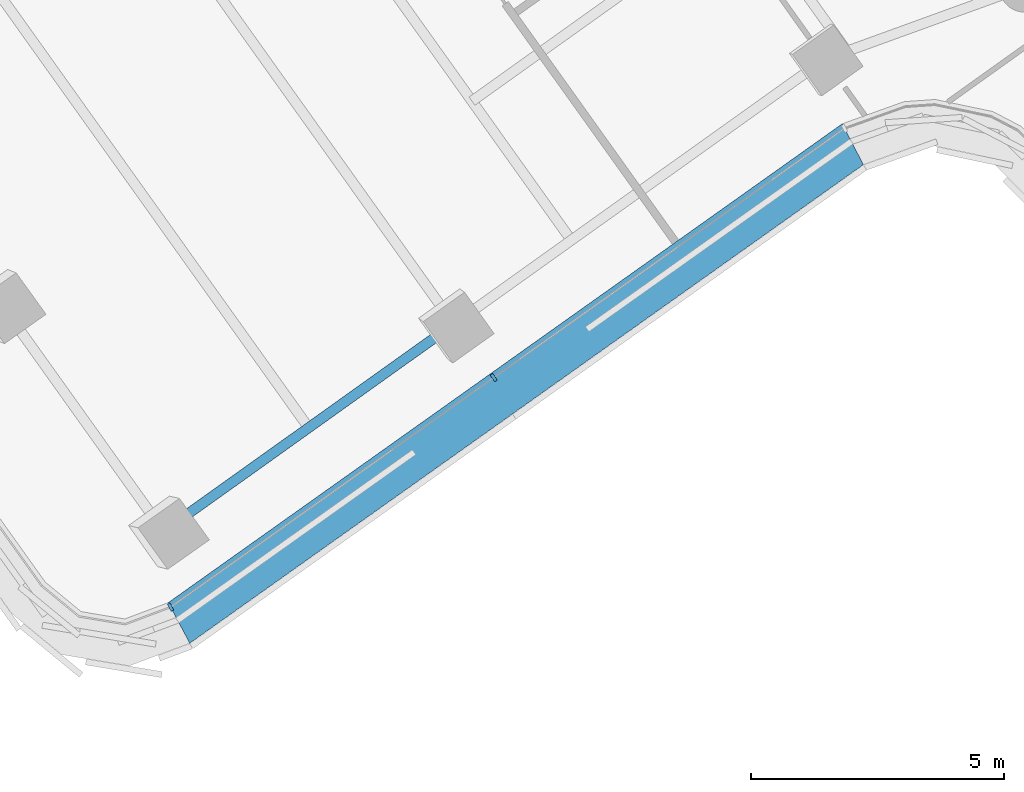
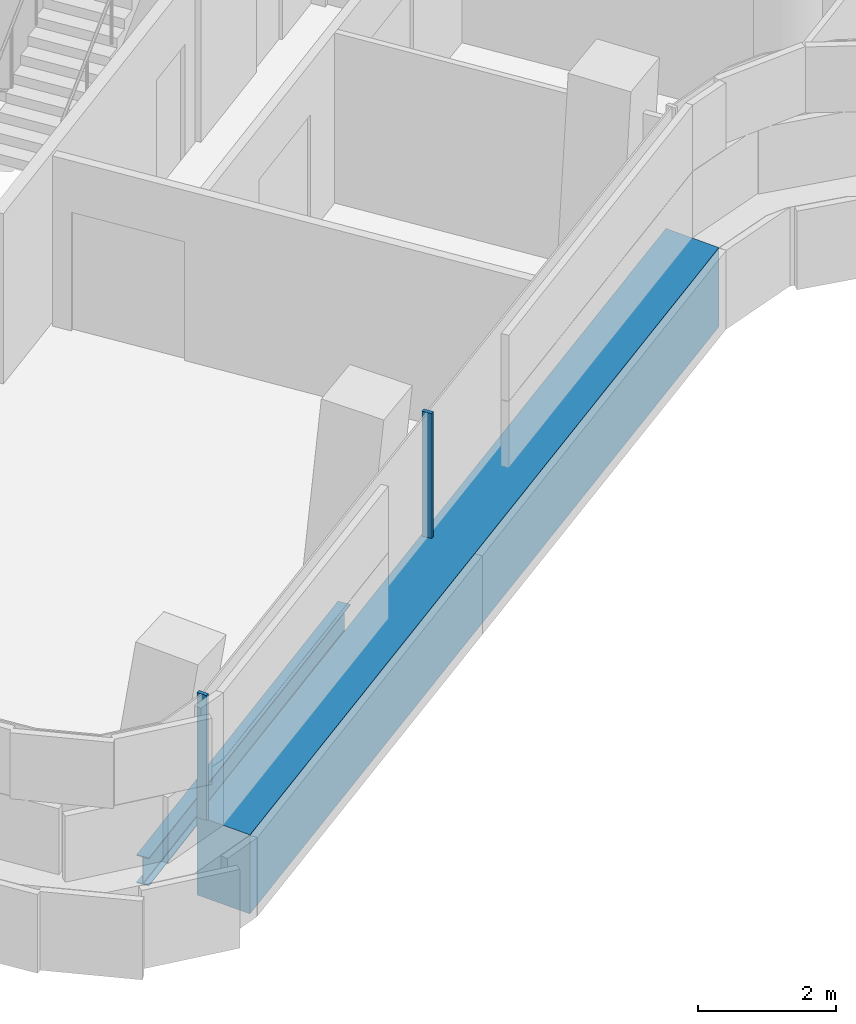
# One storey, part 2 of 31: 3 members, 1 beam, 1 element without a shape of its own.
"""IFC4 building model written with IfcOpenShell, lengths in metres."""

import ifcopenshell
import ifcopenshell.guid

model = None  # the IFC model being written
_history = None  # IfcOwnerHistory: only IFC2X3 demands one
_inside = {}  # id of a spatial element -> (the spatial element, [elements in it])
_under = {}  # id of a project, library or spatial element -> (it, [spatial elements below it])
_declared = {}  # id of a project -> (the project, [libraries it declares])
_typed = {}  # id of a type object -> (the type object, [elements of that type])
_made_of = {}  # id of a material, layer set ... -> (it, [elements and type objects made of it])


def new_model(schema):
    """Start an empty IFC model of exactly this schema.

    Asked for "IFC4X3", IfcOpenShell would pick the latest addendum, in which some entities
    have other attributes; the version numbers below select the first issue.
    IFC2X3 requires an IfcOwnerHistory on every rooted entity: one is made here for all.
    """
    global model, _history
    if schema == "IFC4X3":
        model = ifcopenshell.file(schema_version=(4, 3, 0, 0))
    else:
        model = ifcopenshell.file(schema=schema)
    _inside.clear()
    _under.clear()
    _declared.clear()
    _typed.clear()
    _made_of.clear()
    _history = None
    if model.schema == "IFC2X3":
        org = make("IfcOrganization", Name="unknown")
        user = make(
            "IfcPersonAndOrganization",
            ThePerson=make("IfcPerson", FamilyName="unknown"),
            TheOrganization=org,
        )
        app = make(
            "IfcApplication",
            ApplicationDeveloper=org,
            Version="unknown",
            ApplicationFullName="unknown",
            ApplicationIdentifier="unknown",
        )
        _history = make(
            "IfcOwnerHistory",
            OwningUser=user,
            OwningApplication=app,
            ChangeAction="ADDED",
            CreationDate=0,
        )
    return model


def make(cls, **values):
    """One entity of the class cls with the attributes given. An attribute that is None is left unset."""
    return model.create_entity(
        cls, **{name: value for name, value in values.items() if value is not None}
    )


def rooted(cls, **values):
    """An entity with a GlobalId (a new one), such as an element, a storey or a relation."""
    return make(cls, GlobalId=ifcopenshell.guid.new(), OwnerHistory=_history, **values)


def si_unit(unit_type, name, prefix=None):
    """IfcSIUnit, for example si_unit("LENGTHUNIT", "METRE", prefix="MILLI")."""
    return make("IfcSIUnit", UnitType=unit_type, Prefix=prefix, Name=name)


def assignment(units):
    """IfcUnitAssignment: the units of a project."""
    return None if units is None else make("IfcUnitAssignment", Units=units)


def point(xyz):
    """IfcCartesianPoint."""
    return None if xyz is None else make("IfcCartesianPoint", Coordinates=xyz)


def direction(xyz):
    """IfcDirection."""
    return None if xyz is None else make("IfcDirection", DirectionRatios=xyz)


def frame(location, z_axis=None, x_axis=None):
    """IfcAxis2Placement3D, a coordinate frame: its origin and axes. An axis left out is left unset."""
    return make(
        "IfcAxis2Placement3D",
        Location=point(location),
        Axis=direction(z_axis),
        RefDirection=direction(x_axis),
    )


def frame_2d(location, x_axis=None):
    """IfcAxis2Placement2D, a coordinate frame in the plane: its origin and x axis."""
    return make(
        "IfcAxis2Placement2D", Location=point(location), RefDirection=direction(x_axis)
    )


def origin():
    """The frame at (0, 0, 0) with its axes left unset."""
    return frame((0.0, 0.0, 0.0))


def origin_2d():
    """The frame at (0, 0) in the plane with its x axis left unset."""
    return frame_2d((0.0, 0.0))


def place(relative_to, where):
    """IfcLocalPlacement: puts the frame where relative to a parent placement (None: the world)."""
    return make(
        "IfcLocalPlacement", PlacementRelTo=relative_to, RelativePlacement=where
    )


def context(
    kind, dimensions, precision=None, world=None, true_north=None, identifier=None
):
    """IfcGeometricRepresentationContext, for example the 3D "Model" context."""
    return make(
        "IfcGeometricRepresentationContext",
        ContextIdentifier=identifier,
        ContextType=kind,
        CoordinateSpaceDimension=dimensions,
        Precision=precision,
        WorldCoordinateSystem=world,
        TrueNorth=true_north,
    )


def subcontext(parent, identifier, kind, view, scale=None):
    """IfcGeometricRepresentationSubContext, for example "Body" below "Model"."""
    return make(
        "IfcGeometricRepresentationSubContext",
        ContextIdentifier=identifier,
        ContextType=kind,
        ParentContext=parent,
        TargetScale=scale,
        TargetView=view,
    )


def project(units=None, contexts=None):
    """IfcProject with its units and contexts."""
    return rooted(
        "IfcProject",
        Name="project",
        RepresentationContexts=contexts,
        UnitsInContext=assignment(units),
    )


def spatial(cls, under=None, at=None, **own):
    """A site, building, storey or space (cls), placed at a placement, below another one or the project."""
    s = rooted(cls, ObjectPlacement=at, **own)
    if under is not None:
        _under.setdefault(under.id(), (under, []))[1].append(s)
    return s


def polyline(points):
    """IfcPolyline through the points."""
    return make("IfcPolyline", Points=[point(p) for p in points])


def profile(cls, at=None, kind="AREA", **sizes):
    """A parametric profile (cls). Its sizes go by their IFC names, for example OverallWidth=200.0."""
    return make(cls, ProfileType=kind, Position=at, **sizes)


def rectangle(**sizes):
    """IfcRectangleProfileDef."""
    return profile("IfcRectangleProfileDef", **sizes)


def i_section(**sizes):
    """IfcIShapeProfileDef."""
    return profile("IfcIShapeProfileDef", **sizes)


def outline(outer, holes=None, kind="AREA"):
    """IfcArbitraryClosedProfileDef: a profile drawn as a closed curve; with holes, ...WithVoids."""
    if holes is None:
        return make("IfcArbitraryClosedProfileDef", ProfileType=kind, OuterCurve=outer)
    return make(
        "IfcArbitraryProfileDefWithVoids",
        ProfileType=kind,
        OuterCurve=outer,
        InnerCurves=holes,
    )


def extrude(swept, where, along, depth):
    """IfcExtrudedAreaSolid: the profile swept, set in the frame where, extruded along a direction by depth."""
    return make(
        "IfcExtrudedAreaSolid",
        SweptArea=swept,
        Position=where,
        ExtrudedDirection=direction(along),
        Depth=depth,
    )


def shape(context_of_items, identifier, shape_type, items):
    """IfcShapeRepresentation: the items that make up one representation, for example the "Body"."""
    return make(
        "IfcShapeRepresentation",
        ContextOfItems=context_of_items,
        RepresentationIdentifier=identifier,
        RepresentationType=shape_type,
        Items=items,
    )


def material(Name=None, Category=None):
    """IfcMaterial."""
    return make("IfcMaterial", Name=Name, Category=Category)


def layer(
    of_material, thickness, ventilated=None, Name=None, Category=None, Priority=None
):
    """IfcMaterialLayer: one layer of a wall or slab, of a material (None: an air gap)."""
    return make(
        "IfcMaterialLayer",
        Material=of_material,
        LayerThickness=thickness,
        IsVentilated=ventilated,
        Name=Name,
        Category=Category,
        Priority=Priority,
    )


def layer_set(layers, Name=None):
    """IfcMaterialLayerSet."""
    return make("IfcMaterialLayerSet", MaterialLayers=layers, LayerSetName=Name)


def material_profile(
    of_material, cross_section, Name=None, Category=None, Priority=None
):
    """IfcMaterialProfile: a cross section and its material."""
    return make(
        "IfcMaterialProfile",
        Name=Name,
        Material=of_material,
        Profile=cross_section,
        Priority=Priority,
        Category=Category,
    )


def profile_set(profiles, Name=None, composite=None):
    """IfcMaterialProfileSet."""
    return make(
        "IfcMaterialProfileSet",
        Name=Name,
        MaterialProfiles=profiles,
        CompositeProfile=composite,
    )


def made_of(thing, what):
    """Note that an element or type object is made of a material, layer set ...; save() writes the relation."""
    if what is not None:
        _made_of.setdefault(what.id(), (what, []))[1].append(thing)
    return thing


def type_object(cls, material=None, **own):
    """A type object (cls), such as IfcWallType, which elements share."""
    return made_of(rooted(cls, **own), material)


def element(
    cls,
    number,
    at=None,
    inside=None,
    cuts=None,
    type_object=None,
    material=None,
    context=None,
    identifier="Body",
    shape_type=None,
    held_by="IfcProductDefinitionShape",
    body=None,
    shapes=None,
    **own,
):
    """One element of the class cls, such as IfcWall. Its Tag is "e" and its number.

    at: its placement. inside: the storey or other place that contains it. cuts: it is an
    opening in that element (IfcRelVoidsElement). A single representation is given by context,
    identifier, shape_type and body (its items); several are given by shapes. held_by: the class
    of the entity that holds the representations. save() writes the other relations.
    """
    e = rooted(cls, Tag="e%d" % number, ObjectPlacement=at, **own)
    if body is not None:
        shapes = [shape(context, identifier, shape_type, body)]
    if shapes is not None:
        e.Representation = make(held_by, Representations=shapes)
    if inside is not None:
        _inside.setdefault(inside.id(), (inside, []))[1].append(e)
    if cuts is not None:
        rooted(
            "IfcRelVoidsElement", RelatingBuildingElement=cuts, RelatedOpeningElement=e
        )
    if type_object is not None:
        _typed.setdefault(type_object.id(), (type_object, []))[1].append(e)
    return made_of(e, material)


def aggregate(whole, parts):
    """IfcRelAggregates: a whole, such as a stair, and the parts it consists of."""
    return rooted("IfcRelAggregates", RelatingObject=whole, RelatedObjects=parts)


def save(model, path):
    """Write the relations noted so far, then the file.

    IfcRelAggregates (storeys below a building ...), IfcRelContainedInSpatialStructure (elements
    in a storey), IfcRelDefinesByType, IfcRelAssociatesMaterial and IfcRelDeclares: one each for
    every whole, place, type object, material and project.
    """
    for whole, parts in _under.values():
        aggregate(whole, parts)
    for where, things in _inside.values():
        rooted(
            "IfcRelContainedInSpatialStructure",
            RelatedElements=things,
            RelatingStructure=where,
        )
    for kind, things in _typed.values():
        rooted("IfcRelDefinesByType", RelatedObjects=things, RelatingType=kind)
    for what, things in _made_of.values():
        rooted("IfcRelAssociatesMaterial", RelatedObjects=things, RelatingMaterial=what)
    for by, libraries in _declared.values():
        rooted("IfcRelDeclares", RelatingContext=by, RelatedDefinitions=libraries)
    model.write(path)


model = new_model("IFC4")

# Units and contexts
model_context = context("Model", 3, precision=1e-05, world=origin(), true_north=direction((0.0, 1.0)))
body_context = subcontext(model_context, "Body", "Model", "MODEL_VIEW")
ifc_project = project(units=[si_unit("LENGTHUNIT", "METRE"), si_unit("AREAUNIT", "SQUARE_METRE"), si_unit("VOLUMEUNIT", "CUBIC_METRE"), si_unit("PLANEANGLEUNIT", "RADIAN"), si_unit("MASSUNIT", "GRAM", prefix="KILO")], contexts=[model_context])

# Site, building, storey
site_placement = place(None, origin())
site = spatial("IfcSite", under=ifc_project, at=site_placement, CompositionType="ELEMENT")
building_placement = place(site_placement, origin())
building = spatial("IfcBuilding", under=site, at=building_placement, Name="Tamarind Cross Interchange Tower", CompositionType="ELEMENT")
storey_placement = place(building_placement, frame((0.0, 0.0, 163.0)))
storey = spatial("IfcBuildingStorey", under=building, at=storey_placement, Name="L40", CompositionType="ELEMENT", Elevation=163.0)

# Beam
ifc_material_1 = material(Name="Steel Q355B", Category="steel")
ifc_material_profile_1 = material_profile(ifc_material_1, i_section(OverallWidth=0.198974609375, OverallDepth=0.49609375, WebThickness=0.009033203125, FlangeThickness=0.013916015625, FilletRadius=0.012939453125, at=origin_2d()), Name="HN 496x199x9x14")
ifc_profile_set_1 = profile_set([ifc_material_profile_1], Name="Steel Q355B")
beam_type = type_object("IfcBeamType", Name="Composite beam HN 496x199x9x14 Q355B", PredefinedType="BEAM", material=ifc_profile_set_1)
beam_placement = place(storey_placement, frame((-38.61767578125, -18.62109375, -0.387939453125), z_axis=(0.813890342448, 0.581018511297, 0.0), x_axis=(-0.581018511297, 0.813890342448, 0.0)))
element("IfcBeam", 1, at=beam_placement, inside=storey, type_object=beam_type, Name="Beam W-edgeep2", PredefinedType="BEAM", context=body_context, shape_type="SweptSolid", body=[
    extrude(i_section(OverallWidth=0.198974609375, OverallDepth=0.49609375, WebThickness=0.009033203125, FlangeThickness=0.013916015625, FilletRadius=0.012939453125, at=origin_2d()), origin(), (0.0, 0.0, 1.0), 7.044189453125),
])

# Curtain wall, members
ifc_material_2 = material(Name="Aluminium 6063-T6", Category="aluminium")
ifc_layer = layer(ifc_material_2, 0.159912109375)
ifc_layer_set = layer_set([ifc_layer], Name="Aluminium 6063-T6")
curtain_wall_type = type_object("IfcCurtainWallType", Name="Office curtain wall, 9.0 m bays", PredefinedType="NOTDEFINED", material=ifc_layer_set)
curtain_wall_placement = place(storey_placement, origin())
curtain_wall = element("IfcCurtainWall", 2, at=curtain_wall_placement, inside=storey, type_object=curtain_wall_type, Name="CWS-L40-13", PredefinedType="NOTDEFINED")
ifc_material_3 = material(Name="Aluminium and insulated spandrel panel", Category="aluminium")
member_type_1 = type_object("IfcMemberType", Name="Floor-edge blade transom", PredefinedType="USERDEFINED", material=ifc_material_3)
member_1_placement = place(storey_placement, origin())
member_1 = element("IfcMember", 3, at=member_1_placement, type_object=member_type_1, Name="CWT-L40-13", ObjectType="TRANSOM", PredefinedType="USERDEFINED", context=body_context, shape_type="SweptSolid", body=[
    extrude(outline(polyline([(-38.52490234375, -20.029541015625), (-25.2158203125, -10.57421875), (-24.79541015625, -11.379638671875), (-38.099365234375, -20.8310546875), (-38.52490234375, -20.029541015625)])), origin(), (0.0, 0.0, 1.0), 1.39990234375),
])
ifc_material_profile_2 = material_profile(ifc_material_2, rectangle(XDim=0.06005859375, YDim=0.159912109375, at=origin_2d()), Name="Mullion CW1")
ifc_profile_set_2 = profile_set([ifc_material_profile_2], Name="Aluminium 6063-T6")
member_type_2 = type_object("IfcMemberType", Name="Mullion CW1", PredefinedType="MULLION", material=ifc_profile_set_2)
member_2_placement = place(storey_placement, frame((-38.4775390625, -20.118408203125, 1.39990234375), z_axis=(0.0, 0.0, 1.0), x_axis=(0.883297223265, 0.468813412108, 0.0)))
member_2 = element("IfcMember", 4, at=member_2_placement, type_object=member_type_2, Name="CWM-L40-13-00", PredefinedType="MULLION", context=body_context, shape_type="SweptSolid", body=[
    extrude(rectangle(XDim=0.06005859375, YDim=0.159912109375, at=origin_2d()), origin(), (0.0, 0.0, 1.0), 2.210205078125),
])
member_3_placement = place(storey_placement, frame((-32.096435546875, -15.585205078125, 1.39990234375), z_axis=(0.0, 0.0, 1.0), x_axis=(0.815214734027, 0.579158818828, 0.0)))
member_3 = element("IfcMember", 5, at=member_3_placement, type_object=member_type_2, Name="CWM-L40-13-01", PredefinedType="MULLION", context=body_context, shape_type="SweptSolid", body=[
    extrude(rectangle(XDim=0.06005859375, YDim=0.159912109375, at=origin_2d()), origin(), (0.0, 0.0, 1.0), 2.210205078125),
])
aggregate(curtain_wall, [member_2, member_3, member_1])

save(model, "model.ifc")
